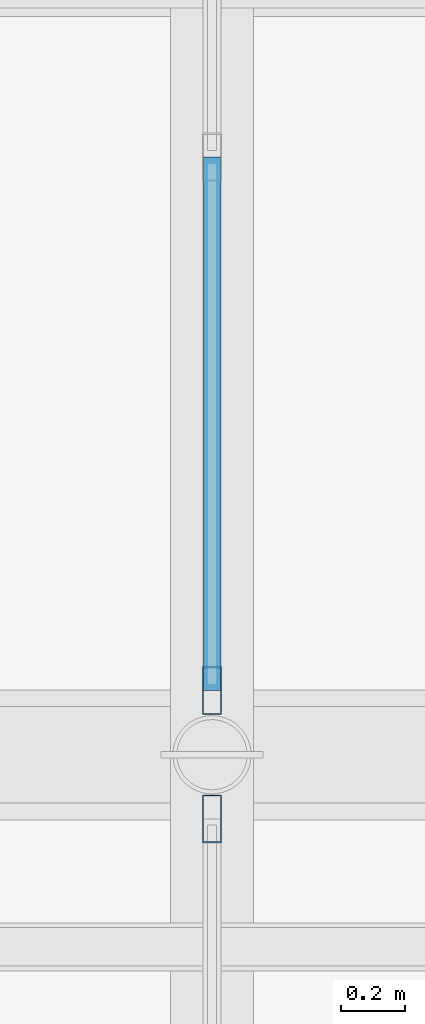
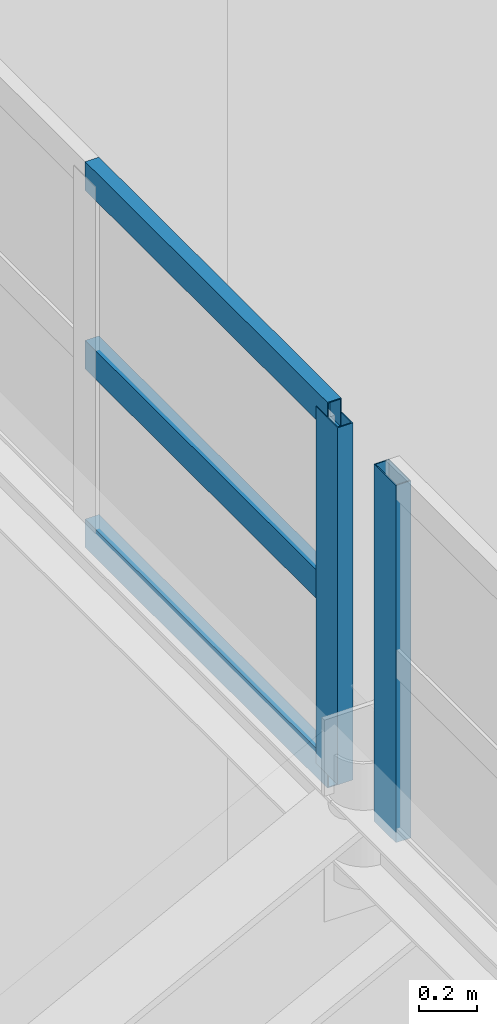
# One storey, part 56 of 84: 5 members, 2 elements without a shape of their own.
"""IFC4 building model written with IfcOpenShell, lengths in metres."""

from ifc_helpers import new_model, si_unit, direction, frame, origin, origin_2d, place, context, subcontext, project, spatial, hollow_rectangle, extrude, material, layer, layer_set, material_profile, profile_set, type_object, element, aggregate, save


model = new_model("IFC4")

# Units and contexts
model_context = context("Model", 3, precision=1e-05, world=origin(), true_north=direction((0.0, 1.0)))
body_context = subcontext(model_context, "Body", "Model", "MODEL_VIEW")
ifc_project = project(units=[si_unit("LENGTHUNIT", "METRE"), si_unit("AREAUNIT", "SQUARE_METRE"), si_unit("VOLUMEUNIT", "CUBIC_METRE"), si_unit("PLANEANGLEUNIT", "RADIAN"), si_unit("MASSUNIT", "GRAM", prefix="KILO")], contexts=[model_context])

# Site, building, storey
site_placement = place(None, origin())
site = spatial("IfcSite", under=ifc_project, at=site_placement, CompositionType="ELEMENT")
building_placement = place(site_placement, origin())
building = spatial("IfcBuilding", under=site, at=building_placement, Name="Sundgate Opera House", CompositionType="ELEMENT")
storey_placement = place(building_placement, frame((0.0, 0.0, 30.60009765625)))
storey = spatial("IfcBuildingStorey", under=building, at=storey_placement, Name="L06", CompositionType="ELEMENT", Elevation=30.60009765625)

# Curtain wall, member
ifc_material_1 = material(Name="Anodized aluminium and low-iron glass", Category="aluminium")
ifc_layer = layer(ifc_material_1, 0.169921875)
ifc_layer_set = layer_set([ifc_layer], Name="Anodized aluminium and low-iron glass")
curtain_wall_type = type_object("IfcCurtainWallType", Name="CW-LANTERN-POLY", PredefinedType="NOTDEFINED", material=ifc_layer_set)
curtain_wall_1_placement = place(storey_placement, origin())
curtain_wall_1 = element("IfcCurtainWall", 1, at=curtain_wall_1_placement, inside=storey, type_object=curtain_wall_type, Name="L06 Curtain Wall CW185", PredefinedType="NOTDEFINED")
ifc_material_2 = material(Name="Anodized aluminium EN AW-6063", Category="aluminium")
ifc_material_profile_1 = material_profile(ifc_material_2, hollow_rectangle(XDim=0.06005859375, YDim=0.14990234375, WallThickness=0.00390625, at=origin_2d()), Name="CWM 150x60x4")
ifc_profile_set_1 = profile_set([ifc_material_profile_1], Name="Anodized aluminium EN AW-6063")
member_type_1 = type_object("IfcMemberType", Name="CWM-ALU-150x60", PredefinedType="MULLION", material=ifc_profile_set_1)
member_1_placement = place(storey_placement, frame((51.5, 81.39990234375, 16.199951171875), z_axis=(0.0, 0.0, 1.0), x_axis=(1.0, 0.0, 0.0)))
member_1 = element("IfcMember", 2, at=member_1_placement, type_object=member_type_1, Name="CW185 Mullion 1", PredefinedType="MULLION", context=body_context, shape_type="SweptSolid", body=[
    extrude(hollow_rectangle(XDim=0.06005859375, YDim=0.14990234375, WallThickness=0.00390625, at=origin_2d()), origin(), (0.0, 0.0, 1.0), 1.5),
])
aggregate(curtain_wall_1, [member_1])

# Curtain wall, members
curtain_wall_2_placement = place(storey_placement, origin())
curtain_wall_2 = element("IfcCurtainWall", 3, at=curtain_wall_2_placement, inside=storey, type_object=curtain_wall_type, Name="L06 Curtain Wall CW187", PredefinedType="NOTDEFINED")
member_2_placement = place(storey_placement, frame((51.5, 81.800048828125, 16.199951171875), z_axis=(0.0, 0.0, 1.0), x_axis=(1.0, 0.0, 0.0)))
member_2 = element("IfcMember", 4, at=member_2_placement, type_object=member_type_1, Name="CW187 Mullion 4", PredefinedType="MULLION", context=body_context, shape_type="SweptSolid", body=[
    extrude(hollow_rectangle(XDim=0.06005859375, YDim=0.14990234375, WallThickness=0.00390625, at=origin_2d()), origin(), (0.0, 0.0, 1.0), 1.5),
])
ifc_material_3 = material(Name="Anodized aluminium EN AW-6063", Category="aluminium")
ifc_material_profile_2 = material_profile(ifc_material_3, hollow_rectangle(XDim=0.054931640625, YDim=0.1201171875, WallThickness=0.00390625, at=origin_2d()), Name="CWT 120x55x4")
ifc_profile_set_2 = profile_set([ifc_material_profile_2], Name="Anodized aluminium EN AW-6063")
member_type_2 = type_object("IfcMemberType", Name="CWT-ALU-120x55", PredefinedType="USERDEFINED", material=ifc_profile_set_2)
member_3_placement = place(storey_placement, frame((51.5, 83.466552734375, 16.199951171875), z_axis=(0.0, -1.0, 0.0), x_axis=(1.0, 0.0, 0.0)))
member_3 = element("IfcMember", 5, at=member_3_placement, type_object=member_type_2, Name="CW187 Transom 7", ObjectType="TRANSOM", PredefinedType="USERDEFINED", context=body_context, shape_type="SweptSolid", body=[
    extrude(hollow_rectangle(XDim=0.054931640625, YDim=0.1201171875, WallThickness=0.00390625, at=origin_2d()), origin(), (0.0, 0.0, 1.0), 1.66650390625),
])
member_4_placement = place(storey_placement, frame((51.5, 83.466552734375, 16.949951171875), z_axis=(0.0, -1.0, 0.0), x_axis=(1.0, 0.0, 0.0)))
member_4 = element("IfcMember", 6, at=member_4_placement, type_object=member_type_2, Name="CW187 Transom 8", ObjectType="TRANSOM", PredefinedType="USERDEFINED", context=body_context, shape_type="SweptSolid", body=[
    extrude(hollow_rectangle(XDim=0.054931640625, YDim=0.1201171875, WallThickness=0.00390625, at=origin_2d()), origin(), (0.0, 0.0, 1.0), 1.66650390625),
])
member_5_placement = place(storey_placement, frame((51.5, 83.466552734375, 17.699951171875), z_axis=(0.0, -1.0, 0.0), x_axis=(1.0, 0.0, 0.0)))
member_5 = element("IfcMember", 7, at=member_5_placement, type_object=member_type_2, Name="CW187 Transom 9", ObjectType="TRANSOM", PredefinedType="USERDEFINED", context=body_context, shape_type="SweptSolid", body=[
    extrude(hollow_rectangle(XDim=0.054931640625, YDim=0.1201171875, WallThickness=0.00390625, at=origin_2d()), origin(), (0.0, 0.0, 1.0), 1.66650390625),
])
aggregate(curtain_wall_2, [member_2, member_3, member_4, member_5])

save(model, "model.ifc")
